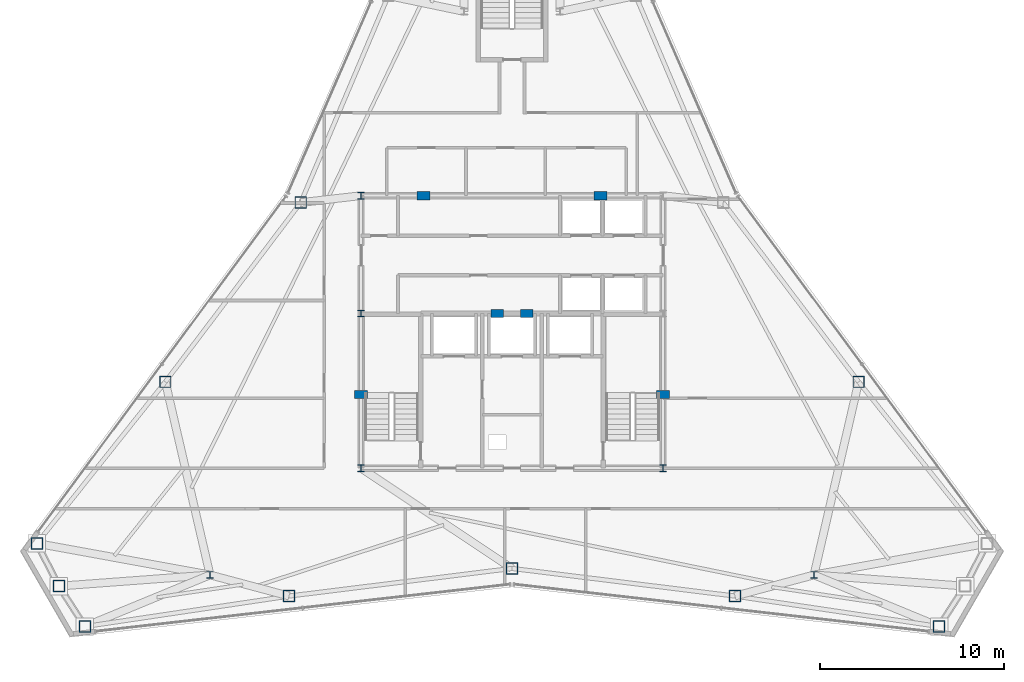
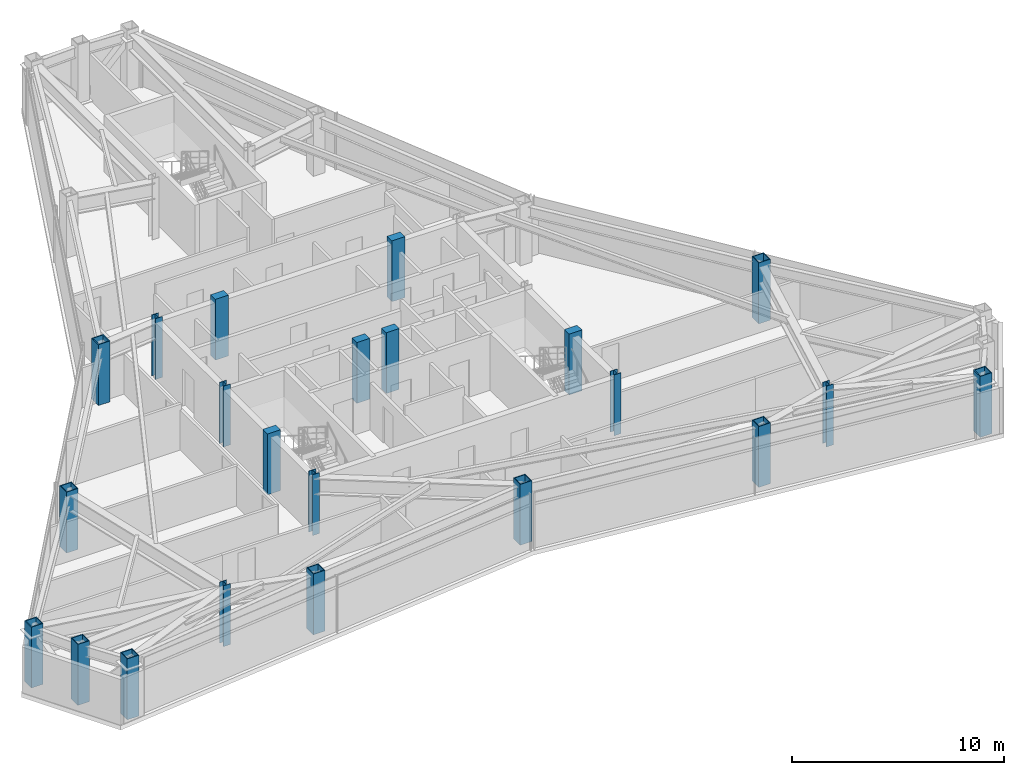
# One storey, part 1 of 11: 22 columns.
"""IFC4 building model written with IfcOpenShell, lengths in metres."""

from ifc_helpers import new_model, si_unit, direction, frame, origin, origin_2d, place, context, subcontext, project, spatial, rectangle, hollow_rectangle, i_section, extrude, material, material_profile, profile_set, type_object, element, save


model = new_model("IFC4")

# Units and contexts
model_context = context("Model", 3, precision=1e-05, world=origin(), true_north=direction((0.0, 1.0)))
body_context = subcontext(model_context, "Body", "Model", "MODEL_VIEW")
ifc_project = project(units=[si_unit("LENGTHUNIT", "METRE"), si_unit("AREAUNIT", "SQUARE_METRE"), si_unit("VOLUMEUNIT", "CUBIC_METRE"), si_unit("PLANEANGLEUNIT", "RADIAN"), si_unit("MASSUNIT", "GRAM", prefix="KILO")], contexts=[model_context])

# Site, building, storey
site_placement = place(None, origin())
site = spatial("IfcSite", under=ifc_project, at=site_placement, CompositionType="ELEMENT")
building_placement = place(site_placement, origin())
building = spatial("IfcBuilding", under=site, at=building_placement, Name="Varakhsha Concourse Tower", CompositionType="ELEMENT")
storey_placement = place(building_placement, frame((0.0, 0.0, 279.5)))
storey = spatial("IfcBuildingStorey", under=building, at=storey_placement, Name="L79", CompositionType="ELEMENT", Elevation=279.5)

# Columns
ifc_material_1 = material(Name="Structural Steel ASTM A992 Grade 50", Category="steel")
ifc_material_profile_1 = material_profile(ifc_material_1, i_section(OverallWidth=0.3740234375, OverallDepth=0.3720703125, WebThickness=0.01611328125, FlangeThickness=0.02587890625, at=origin_2d()), Name="W14X132")
ifc_profile_set_1 = profile_set([ifc_material_profile_1], Name="Structural Steel ASTM A992 Grade 50")
column_type_1 = type_object("IfcColumnType", Name="CL-CORE-W14X132", PredefinedType="COLUMN", material=ifc_profile_set_1)
for number, where, z_axis, x_axis, name in (
    (1, (31.800048828125, 16.39990234375, 0.0), (0.0, 0.0, 1.0), (1.0, 0.0, 0.0), "L79 Core Column CC-SW"),
    (2, (48.199951171875, 16.39990234375, 0.0), (0.0, 0.0, 1.0), (1.0, 0.0, 0.0), "L79 Core Column CC-SE"),
    (3, (31.800048828125, 24.800048828125, 0.0), (0.0, 0.0, 1.0), (1.0, 0.0, 0.0), "L79 Core Column CC-MW"),
    (4, (31.800048828125, 31.199951171875, 0.0), (0.0, 0.0, 1.0), (1.0, 0.0, 0.0), "L79 Core Column CC-NW"),
    (5, (23.60009765625, 10.60009765625, 0.0), (0.0, 0.0, 1.0), (1.0, 0.0, 0.0), "L79 Core Column SS-W"),
    (6, (56.39990234375, 10.60009765625, 0.0), (0.0, 0.0, 1.0), (1.0, 0.0, 0.0), "L79 Core Column SS-E"),
):
    element("IfcColumn", number, at=place(storey_placement, frame(where, z_axis=z_axis, x_axis=x_axis)), inside=storey, type_object=column_type_1, Name=name, PredefinedType="COLUMN", context=body_context, shape_type="SweptSolid", body=[
        extrude(i_section(OverallWidth=0.3740234375, OverallDepth=0.3720703125, WebThickness=0.01611328125, FlangeThickness=0.02587890625, at=origin_2d()), origin(), (0.0, 0.0, 1.0), 3.5),
    ])
ifc_material_2 = material(Name="Concrete fc 65 MPa", Category="concrete")
ifc_material_profile_2 = material_profile(ifc_material_2, rectangle(XDim=0.699951171875, YDim=0.449951171875, at=origin_2d()), Name="RC 700x450")
ifc_profile_set_2 = profile_set([ifc_material_profile_2], Name="Concrete fc 65 MPa")
column_type_2 = type_object("IfcColumnType", Name="CL-PIL-700X450", PredefinedType="PILASTER", material=ifc_profile_set_2)
for number, where, z_axis, x_axis, name in (
    (7, (31.800048828125, 20.39990234375, 0.0), (0.0, 0.0, 1.0), (1.0, 0.0, 0.0), "L79 Core Boundary Pilaster PIL-W1"),
    (8, (48.199951171875, 20.39990234375, 0.0), (0.0, 0.0, 1.0), (1.0, 0.0, 0.0), "L79 Core Boundary Pilaster PIL-E1"),
    (9, (35.199951171875, 31.199951171875, 0.0), (0.0, 0.0, 1.0), (1.0, 0.0, 0.0), "L79 Core Boundary Pilaster PIL-N1"),
    (10, (44.800048828125, 31.199951171875, 0.0), (0.0, 0.0, 1.0), (1.0, 0.0, 0.0), "L79 Core Boundary Pilaster PIL-N2"),
    (11, (39.199951171875, 24.800048828125, 0.0), (0.0, 0.0, 1.0), (1.0, 0.0, 0.0), "L79 Core Boundary Pilaster PIL-M1"),
    (12, (40.800048828125, 24.800048828125, 0.0), (0.0, 0.0, 1.0), (1.0, 0.0, 0.0), "L79 Core Boundary Pilaster PIL-M2"),
):
    element("IfcColumn", number, at=place(storey_placement, frame(where, z_axis=z_axis, x_axis=x_axis)), inside=storey, type_object=column_type_2, Name=name, PredefinedType="PILASTER", context=body_context, shape_type="SweptSolid", body=[
        extrude(rectangle(XDim=0.699951171875, YDim=0.449951171875, at=origin_2d()), origin(), (0.0, 0.0, 1.0), 3.5),
    ])
ifc_material_3 = material(Name="Structural Steel ASTM A572 Grade 50", Category="steel")
ifc_material_profile_3 = material_profile(ifc_material_3, hollow_rectangle(XDim=0.639892578125, YDim=0.639892578125, WallThickness=0.044921875, at=origin_2d()), Name="BOX 640x640x45")
ifc_profile_set_3 = profile_set([ifc_material_profile_3], Name="Structural Steel ASTM A572 Grade 50")
column_type_3 = type_object("IfcColumnType", Name="CL-TUBE-640", PredefinedType="COLUMN", material=ifc_profile_set_3)
for number, where, z_axis, x_axis, name in (
    (13, (28.528076171875, 30.8232421875, 0.0), (0.0, 0.0, 1.0), (1.0, 0.0, 0.0), "L79 Framed-Tube Column TC05"),
    (14, (21.172607421875, 21.08642578125, 0.0), (0.0, 0.0, 1.0), (1.0, 0.0, 0.0), "L79 Framed-Tube Column TC06"),
    (15, (14.197509765625, 12.313232421875, 0.0), (0.0, 0.0, 1.0), (1.0, 0.0, 0.0), "L79 Framed-Tube Column TC07"),
    (16, (15.390380859375, 9.99169921875, 0.0), (0.0, 0.0, 1.0), (1.0, 0.0, 0.0), "L79 Framed-Tube Column TC08"),
    (17, (16.8046875, 7.797607421875, 0.0), (0.0, 0.0, 1.0), (1.0, 0.0, 0.0), "L79 Framed-Tube Column TC09"),
    (18, (27.889892578125, 9.45166015625, 0.0), (0.0, 0.0, 1.0), (1.0, 0.0, 0.0), "L79 Framed-Tube Column TC10"),
    (19, (40.0, 10.953369140625, 0.0), (0.0, 0.0, 1.0), (1.0, 0.0, 0.0), "L79 Framed-Tube Column TC11"),
    (20, (52.110107421875, 9.45166015625, 0.0), (0.0, 0.0, 1.0), (1.0, 0.0, 0.0), "L79 Framed-Tube Column TC12"),
    (21, (63.1953125, 7.797607421875, 0.0), (0.0, 0.0, 1.0), (1.0, 0.0, 0.0), "L79 Framed-Tube Column TC13"),
    (22, (58.827392578125, 21.08642578125, 0.0), (0.0, 0.0, 1.0), (1.0, 0.0, 0.0), "L79 Framed-Tube Column TC16"),
):
    element("IfcColumn", number, at=place(storey_placement, frame(where, z_axis=z_axis, x_axis=x_axis)), inside=storey, type_object=column_type_3, Name=name, PredefinedType="COLUMN", context=body_context, shape_type="SweptSolid", body=[
        extrude(hollow_rectangle(XDim=0.639892578125, YDim=0.639892578125, WallThickness=0.044921875, at=origin_2d()), origin(), (0.0, 0.0, 1.0), 3.5),
    ])

save(model, "model.ifc")
